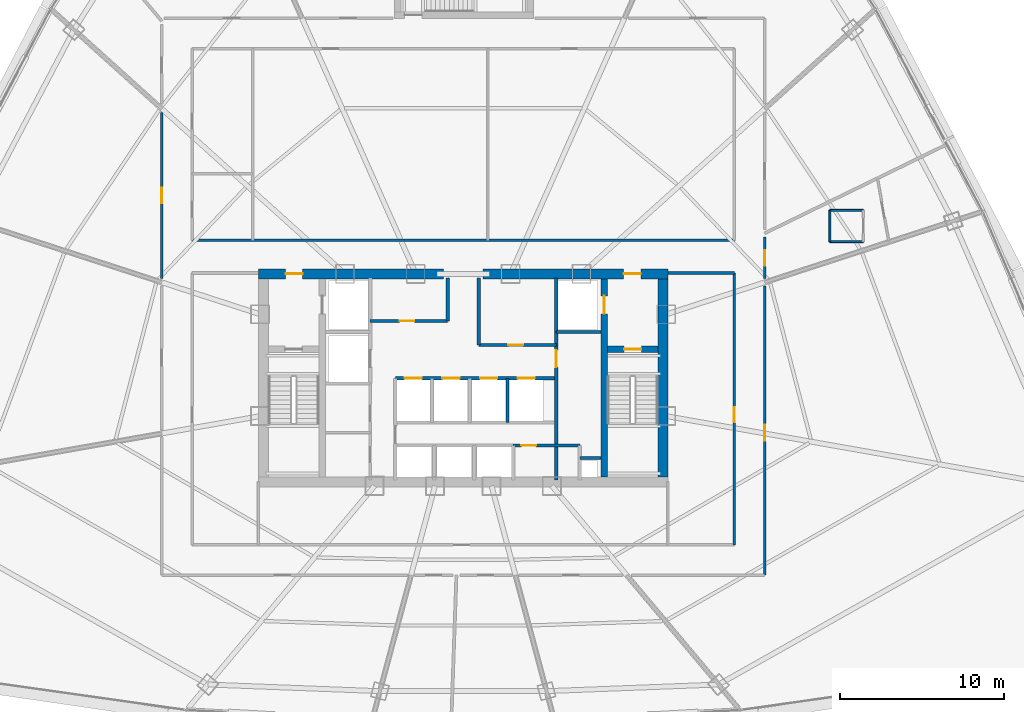
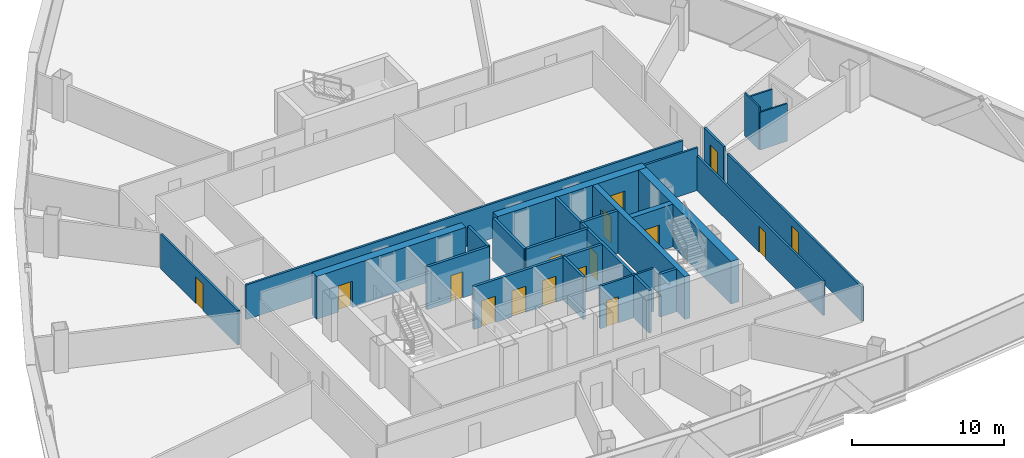
# One storey, part 36 of 42: 25 walls, 16 doors, 16 openings.
"""IFC4 building model written with IfcOpenShell, lengths in metres."""

from ifc_helpers import new_model, si_unit, direction, frame, frame_2d, origin, origin_with_axes, place, context, subcontext, project, spatial, rectangle, extrude, source, transform, mapped, material, layer, layer_set, type_object, element, fill, save


model = new_model("IFC4")

# Units and contexts
model_context = context("Model", 3, precision=1e-05, world=origin(), true_north=direction((0.0, 1.0)))
body_context = subcontext(model_context, "Body", "Model", "MODEL_VIEW")
ifc_project = project(units=[si_unit("LENGTHUNIT", "METRE"), si_unit("AREAUNIT", "SQUARE_METRE"), si_unit("VOLUMEUNIT", "CUBIC_METRE"), si_unit("PLANEANGLEUNIT", "RADIAN"), si_unit("MASSUNIT", "GRAM", prefix="KILO"), si_unit("THERMODYNAMICTEMPERATUREUNIT", "KELVIN"), si_unit("POWERUNIT", "WATT")], contexts=[model_context])

# Site, building, storey
site_placement = place(None, origin())
site = spatial("IfcSite", under=ifc_project, at=site_placement, CompositionType="ELEMENT")
building_placement = place(site_placement, origin())
building = spatial("IfcBuilding", under=site, at=building_placement, Name="Yunzhuo Pagoda Commons", CompositionType="ELEMENT")
storey_placement = place(building_placement, frame((0.0, 0.0, 133.510009765625)))
storey = spatial("IfcBuildingStorey", under=building, at=storey_placement, Name="L33", CompositionType="ELEMENT", Elevation=133.510009765625)

# Wall, opening, door
ifc_material_1 = material(Name="Concrete C60", Category="concrete")
ifc_layer_1 = layer(ifc_material_1, 0.60009765625)
ifc_layer_set_1 = layer_set([ifc_layer_1], Name="Concrete C60")
wall_type_1 = type_object("IfcWallType", Name="W-C02 Mid Core Shear Wall 600", PredefinedType="SHEAR", material=ifc_layer_set_1)
wall_1_placement = place(storey_placement, frame((35.5, 40.199951171875, 0.0), z_axis=(0.0, 0.0, 1.0), x_axis=(1.0, 0.0, 0.0)))
wall_1 = element("IfcWall", 1, at=wall_1_placement, inside=storey, type_object=wall_type_1, Name="L33 core shear wall NW", PredefinedType="SHEAR", context=body_context, shape_type="SweptSolid", body=[
    extrude(rectangle(XDim=11.300048828125, YDim=0.60009765625, at=frame_2d((5.64990234375, 0.0))), origin(), (0.0, 0.0, 1.0), 3.419921875),
])
opening_1_placement = place(wall_1_placement, frame((1.64990234375, 0.0, 0.0)))
opening_1 = element("IfcOpeningElement", 2, at=opening_1_placement, cuts=wall_1, Name="Opening D-02", PredefinedType="OPENING", context=body_context, shape_type="SweptSolid", body=[
    extrude(rectangle(XDim=1.050048828125, YDim=2.10009765625, at=frame_2d((0.52490234375, 1.050048828125))), frame((0.0, 0.31005859375, 0.0), z_axis=(0.0, -1.0, 0.0), x_axis=(1.0, 0.0, 0.0)), (0.0, 0.0, 1.0), 0.6201171875),
])
ifc_material_2 = material(Name="Galvanized fire-resisting metal leaf")
door_type_1 = type_object("IfcDoorType", Name="D-02 Firefighting Lobby & Refuge Fire Door 1050x2100", OperationType="NOTDEFINED", PredefinedType="DOOR", material=ifc_material_2)
shared_shape_1 = source(origin(), body_context, "Body", "SweptSolid", [
    extrude(rectangle(XDim=1.050048828125, YDim=2.10009765625, at=frame_2d((0.52490234375, 1.050048828125))), frame((0.0, 0.02490234375, 0.0), z_axis=(0.0, -1.0, 0.0), x_axis=(1.0, 0.0, 0.0)), (0.0, 0.0, 1.0), 0.050048828125),
])
door_1_placement = place(opening_1_placement, frame((1.050048828125, 0.0, 0.0), z_axis=(0.0, 0.0, 1.0), x_axis=(-1.0, 0.0, 0.0)))
door_1 = element("IfcDoor", 3, at=door_1_placement, inside=storey, type_object=door_type_1, Name="L33 Firefighting Lobby 1 fire door", OperationType="SINGLE_SWING_LEFT", OverallHeight=2.10009765625, OverallWidth=1.050048828125, PredefinedType="DOOR", context=body_context, shape_type="MappedRepresentation", body=[
    mapped(shared_shape_1, transform((0.0, 0.0, 0.0), scale=1.0)),
])
fill(opening_1, door_1)

wall_2_placement = place(storey_placement, frame((49.199951171875, 40.199951171875, 0.0), z_axis=(0.0, 0.0, 1.0), x_axis=(1.0, 0.0, 0.0)))
wall_2 = element("IfcWall", 4, at=wall_2_placement, inside=storey, type_object=wall_type_1, Name="L33 core shear wall NE", PredefinedType="SHEAR", context=body_context, shape_type="SweptSolid", body=[
    extrude(rectangle(XDim=11.300048828125, YDim=0.60009765625, at=frame_2d((5.64990234375, 0.0))), origin(), (0.0, 0.0, 1.0), 3.419921875),
])
opening_2_placement = place(wall_2_placement, frame((8.60009765625, 0.0, 0.0)))
opening_2 = element("IfcOpeningElement", 5, at=opening_2_placement, cuts=wall_2, Name="Opening D-02", PredefinedType="OPENING", context=body_context, shape_type="SweptSolid", body=[
    extrude(rectangle(XDim=1.050048828125, YDim=2.10009765625, at=frame_2d((0.52490234375, 1.050048828125))), frame((0.0, 0.31005859375, 0.0), z_axis=(0.0, -1.0, 0.0), x_axis=(1.0, 0.0, 0.0)), (0.0, 0.0, 1.0), 0.6201171875),
])
door_2_placement = place(opening_2_placement, frame((1.050048828125, 0.0, 0.0), z_axis=(0.0, 0.0, 1.0), x_axis=(-1.0, 0.0, 0.0)))
door_2 = element("IfcDoor", 6, at=door_2_placement, inside=storey, type_object=door_type_1, Name="L33 Firefighting Lobby 2 fire door", OperationType="SINGLE_SWING_RIGHT", OverallHeight=2.10009765625, OverallWidth=1.050048828125, PredefinedType="DOOR", context=body_context, shape_type="MappedRepresentation", body=[
    mapped(shared_shape_1, transform((0.0, 0.0, 0.0), scale=1.0)),
])
fill(opening_2, door_2)

# Wall
wall_3_placement = place(storey_placement, frame((60.199951171875, 27.800048828125, 0.0), z_axis=(0.0, 0.0, 1.0), x_axis=(0.0, 1.0, 0.0)))
element("IfcWall", 7, at=wall_3_placement, inside=storey, type_object=wall_type_1, Name="L33 core shear wall E", PredefinedType="SHEAR", context=body_context, shape_type="SweptSolid", body=[
    extrude(rectangle(XDim=12.099853515625, YDim=0.60009765625, at=frame_2d((6.0498046875, 0.0))), origin(), (0.0, 0.0, 1.0), 3.419921875),
])

# Wall, opening, door
ifc_material_3 = material(Name="Gypsum plasterboard on acoustic stud")
ifc_layer_2 = layer(ifc_material_3, 0.155029296875)
ifc_layer_set_2 = layer_set([ifc_layer_2], Name="Gypsum plasterboard on acoustic stud")
wall_type_2 = type_object("IfcWallType", Name="W-COR2 Mid-Zone Rated Corridor Wall 155", PredefinedType="PARTITIONING", material=ifc_layer_set_2)
wall_4_placement = place(storey_placement, frame((51.050048828125, 29.719970703125, 0.0), z_axis=(0.0, 0.0, 1.0), x_axis=(1.0, 0.0, 0.0)))
wall_4 = element("IfcWall", 8, at=wall_4_placement, inside=storey, type_object=wall_type_2, Name="L33 interior wall IW-L33-CSES", PredefinedType="PARTITIONING", context=body_context, shape_type="SweptSolid", body=[
    extrude(rectangle(XDim=4.070068359375, YDim=0.155029296875, at=frame_2d((2.03515625, 0.0))), origin(), (0.0, 0.0, 1.0), 3.419921875),
])
opening_3_placement = place(wall_4_placement, frame((0.5, 0.0, 0.0)))
opening_3 = element("IfcOpeningElement", 9, at=opening_3_placement, cuts=wall_4, Name="Opening D-03", PredefinedType="OPENING", context=body_context, shape_type="SweptSolid", body=[
    extrude(rectangle(XDim=0.89990234375, YDim=2.10009765625, at=frame_2d((0.449951171875, 1.050048828125))), frame((0.0, 0.08740234375, 0.0), z_axis=(0.0, -1.0, 0.0), x_axis=(1.0, 0.0, 0.0)), (0.0, 0.0, 1.0), 0.175048828125),
])
door_type_2 = type_object("IfcDoorType", Name="D-03 Core Service Fire Door 900x2100", OperationType="NOTDEFINED", PredefinedType="DOOR", material=ifc_material_2)
shared_shape_2 = source(origin(), body_context, "Body", "SweptSolid", [
    extrude(rectangle(XDim=0.89990234375, YDim=2.10009765625, at=frame_2d((0.449951171875, 1.050048828125))), frame((0.0, 0.02490234375, 0.0), z_axis=(0.0, -1.0, 0.0), x_axis=(1.0, 0.0, 0.0)), (0.0, 0.0, 1.0), 0.050048828125),
])
door_3_placement = place(opening_3_placement, origin_with_axes())
door_3 = element("IfcDoor", 10, at=door_3_placement, inside=storey, type_object=door_type_2, Name="L33 IT closet door", OperationType="SINGLE_SWING_LEFT", OverallHeight=2.10009765625, OverallWidth=0.89990234375, PredefinedType="DOOR", context=body_context, shape_type="MappedRepresentation", body=[
    mapped(shared_shape_2, transform((0.0, 0.0, 0.0), scale=1.0)),
])
fill(opening_3, door_3)

# Wall
wall_5_placement = place(storey_placement, frame((31.449951171875, 42.25, 0.0), z_axis=(0.0, 0.0, 1.0), x_axis=(1.0, 0.0, 0.0)))
element("IfcWall", 11, at=wall_5_placement, inside=storey, type_object=wall_type_2, Name="L33 interior wall IW-L33-MCNS", PredefinedType="PARTITIONING", context=body_context, shape_type="SweptSolid", body=[
    extrude(rectangle(XDim=33.10009765625, YDim=0.155029296875, at=frame_2d((16.550048828125, 0.0))), origin(), (0.0, 0.0, 1.0), 2.77001953125),
])

# Wall, opening, door
wall_6_placement = place(storey_placement, frame((64.550048828125, 23.64990234375, 0.0), z_axis=(0.0, 0.0, 1.0), x_axis=(0.0, 1.0, 0.0)))
wall_6 = element("IfcWall", 12, at=wall_6_placement, inside=storey, type_object=wall_type_2, Name="L33 interior wall IW-L33-SFLE", PredefinedType="PARTITIONING", context=body_context, shape_type="SweptSolid", body=[
    extrude(rectangle(XDim=16.60009765625, YDim=0.155029296875, at=frame_2d((8.300048828125, 0.0))), origin(), (0.0, 0.0, 1.0), 2.77001953125),
])
opening_4_placement = place(wall_6_placement, frame((7.5, 0.0, 0.0)))
opening_4 = element("IfcOpeningElement", 13, at=opening_4_placement, cuts=wall_6, Name="Opening D-12", PredefinedType="OPENING", context=body_context, shape_type="SweptSolid", body=[
    extrude(rectangle(XDim=0.89990234375, YDim=2.080078125, at=frame_2d((0.449951171875, 1.0400390625))), frame((0.0, 0.08740234375, 0.0), z_axis=(0.0, -1.0, 0.0), x_axis=(1.0, 0.0, 0.0)), (0.0, 0.0, 1.0), 0.175048828125),
])
ifc_material_4 = material(Name="Powder-coated aluminium and timber acoustic leaf", Category="wood")
door_type_3 = type_object("IfcDoorType", Name="D-12 Quiet Study Interior Door 900x2080", OperationType="NOTDEFINED", PredefinedType="DOOR", material=ifc_material_4)
shared_shape_3 = source(origin(), body_context, "Body", "SweptSolid", [
    extrude(rectangle(XDim=0.89990234375, YDim=2.080078125, at=frame_2d((0.449951171875, 1.0400390625))), frame((0.0, 0.02490234375, 0.0), z_axis=(0.0, -1.0, 0.0), x_axis=(1.0, 0.0, 0.0)), (0.0, 0.0, 1.0), 0.050048828125),
])
door_4_placement = place(opening_4_placement, frame((0.89990234375, 0.0, 0.0), z_axis=(0.0, 0.0, 1.0), x_axis=(-1.0, 0.0, 0.0)))
door_4 = element("IfcDoor", 14, at=door_4_placement, inside=storey, type_object=door_type_3, Name="L33 east study workroom door", OperationType="SINGLE_SWING_RIGHT", OverallHeight=2.080078125, OverallWidth=0.89990234375, PredefinedType="DOOR", context=body_context, shape_type="MappedRepresentation", body=[
    mapped(shared_shape_3, transform((0.0, 0.0, 0.0), scale=1.0)),
])
fill(opening_4, door_4)

# Wall
wall_7_placement = place(storey_placement, frame((60.5, 40.25, 0.0), z_axis=(0.0, 0.0, 1.0), x_axis=(1.0, 0.0, 0.0)))
element("IfcWall", 15, at=wall_7_placement, inside=storey, type_object=wall_type_2, Name="L33 interior wall IW-L33-SFLNE", PredefinedType="PARTITIONING", context=body_context, shape_type="SweptSolid", body=[
    extrude(rectangle(XDim=4.050048828125, YDim=0.155029296875, at=frame_2d((2.02490234375, 0.0))), origin(), (0.0, 0.0, 1.0), 3.419921875),
])

# Wall, opening, door
wall_8_placement = place(storey_placement, frame((29.60009765625, 39.909912109375, 0.0), z_axis=(0.0, 0.0, 1.0), x_axis=(0.0, 1.0, 0.0)))
wall_8 = element("IfcWall", 16, at=wall_8_placement, inside=storey, type_object=wall_type_2, Name="L33 interior wall IW-L33-CWL03", PredefinedType="PARTITIONING", context=body_context, shape_type="SweptSolid", body=[
    extrude(rectangle(XDim=10.1376953125, YDim=0.155029296875, at=frame_2d((5.06884765625, 0.0))), origin(), (0.0, 0.0, 1.0), 2.77001953125),
])
opening_5_placement = place(wall_8_placement, frame((4.588134765625, 0.0, 0.0)))
opening_5 = element("IfcOpeningElement", 17, at=opening_5_placement, cuts=wall_8, Name="Opening D-07", PredefinedType="OPENING", context=body_context, shape_type="SweptSolid", body=[
    extrude(rectangle(XDim=0.9599609375, YDim=2.1201171875, at=frame_2d((0.47998046875, 1.06005859375))), frame((0.0, 0.08740234375, 0.0), z_axis=(0.0, -1.0, 0.0), x_axis=(1.0, 0.0, 0.0)), (0.0, 0.0, 1.0), 0.175048828125),
])
door_type_4 = type_object("IfcDoorType", Name="D-07 Mid-Zone Suite Entrance Fire Door 960x2120", OperationType="NOTDEFINED", PredefinedType="DOOR", material=ifc_material_2)
shared_shape_4 = source(origin(), body_context, "Body", "SweptSolid", [
    extrude(rectangle(XDim=0.9599609375, YDim=2.1201171875, at=frame_2d((0.47998046875, 1.06005859375))), frame((0.0, 0.02490234375, 0.0), z_axis=(0.0, -1.0, 0.0), x_axis=(1.0, 0.0, 0.0)), (0.0, 0.0, 1.0), 0.050048828125),
])
door_5_placement = place(opening_5_placement, origin_with_axes())
door_5 = element("IfcDoor", 18, at=door_5_placement, inside=storey, type_object=door_type_4, Name="L33 unit 07 entrance door", OperationType="SINGLE_SWING_LEFT", OverallHeight=2.1201171875, OverallWidth=0.9599609375, PredefinedType="DOOR", context=body_context, shape_type="MappedRepresentation", body=[
    mapped(shared_shape_4, transform((0.0, 0.0, 0.0), scale=1.0)),
])
fill(opening_5, door_5)

wall_9_placement = place(storey_placement, frame((66.39990234375, 42.45458984375, 0.0), z_axis=(0.0, 0.0, 1.0), x_axis=(0.0, -1.0, 0.0)))
wall_9 = element("IfcWall", 19, at=wall_9_placement, inside=storey, type_object=wall_type_2, Name="L33 interior wall IW-L33-CWL11", PredefinedType="PARTITIONING", context=body_context, shape_type="SweptSolid", body=[
    extrude(rectangle(XDim=2.544677734375, YDim=0.155029296875, at=frame_2d((1.2724609375, 0.0))), origin(), (0.0, 0.0, 1.0), 3.02001953125),
])
opening_6_placement = place(wall_9_placement, frame((0.802978515625, 0.0, 0.0)))
opening_6 = element("IfcOpeningElement", 20, at=opening_6_placement, cuts=wall_9, Name="Opening D-07", PredefinedType="OPENING", context=body_context, shape_type="SweptSolid", body=[
    extrude(rectangle(XDim=0.9599609375, YDim=2.1201171875, at=frame_2d((0.47998046875, 1.06005859375))), frame((0.0, 0.08740234375, 0.0), z_axis=(0.0, -1.0, 0.0), x_axis=(1.0, 0.0, 0.0)), (0.0, 0.0, 1.0), 0.175048828125),
])
door_6_placement = place(opening_6_placement, origin_with_axes())
door_6 = element("IfcDoor", 21, at=door_6_placement, inside=storey, type_object=door_type_4, Name="L33 unit 01 entrance door", OperationType="SINGLE_SWING_LEFT", OverallHeight=2.1201171875, OverallWidth=0.9599609375, PredefinedType="DOOR", context=body_context, shape_type="MappedRepresentation", body=[
    mapped(shared_shape_4, transform((0.0, 0.0, 0.0), scale=1.0)),
])
fill(opening_6, door_6)

wall_10_placement = place(storey_placement, frame((66.39990234375, 39.458740234375, 0.0), z_axis=(0.0, 0.0, 1.0), x_axis=(0.0, -1.0, 0.0)))
wall_10 = element("IfcWall", 22, at=wall_10_placement, inside=storey, type_object=wall_type_2, Name="L33 interior wall IW-L33-CWL12", PredefinedType="PARTITIONING", context=body_context, shape_type="SweptSolid", body=[
    extrude(rectangle(XDim=17.65869140625, YDim=0.155029296875, at=frame_2d((8.829345703125, 0.0))), origin(), (0.0, 0.0, 1.0), 2.77001953125),
])
opening_7_placement = place(wall_10_placement, frame((8.474365234375, 0.0, 0.0)))
opening_7 = element("IfcOpeningElement", 23, at=opening_7_placement, cuts=wall_10, Name="Opening D-07", PredefinedType="OPENING", context=body_context, shape_type="SweptSolid", body=[
    extrude(rectangle(XDim=0.9599609375, YDim=2.1201171875, at=frame_2d((0.47998046875, 1.06005859375))), frame((0.0, 0.08740234375, 0.0), z_axis=(0.0, -1.0, 0.0), x_axis=(1.0, 0.0, 0.0)), (0.0, 0.0, 1.0), 0.175048828125),
])
door_7_placement = place(opening_7_placement, origin_with_axes())
door_7 = element("IfcDoor", 24, at=door_7_placement, inside=storey, type_object=door_type_4, Name="L33 Resident Co-Living Commons Hall door", OperationType="SINGLE_SWING_LEFT", OverallHeight=2.1201171875, OverallWidth=0.9599609375, PredefinedType="DOOR", context=body_context, shape_type="MappedRepresentation", body=[
    mapped(shared_shape_4, transform((0.0, 0.0, 0.0), scale=1.0)),
])
fill(opening_7, door_7)

# Walls
ifc_layer_3 = layer(ifc_material_3, 0.1201171875)
ifc_layer_set_3 = layer_set([ifc_layer_3], Name="Gypsum plasterboard on acoustic stud")
wall_type_3 = type_object("IfcWallType", Name="W-PRT1 Suite & Bathroom Partition 120", PredefinedType="PARTITIONING", material=ifc_layer_set_3)
for number, where, z_axis, x_axis, name in (
    (25, (70.383056640625, 42.1708984375, 0.0), (0.0, 0.0, 1.0), (1.0, 0.0, 0.0), "L33 interior wall IW-L33-B01S"),
    (26, (72.43310546875, 44.071044921875, 0.0), (0.0, 0.0, 1.0), (-1.0, 0.0, 0.0), "L33 interior wall IW-L33-B01N"),
):
    element("IfcWall", number, at=place(storey_placement, frame(where, z_axis=z_axis, x_axis=x_axis)), inside=storey, type_object=wall_type_3, Name=name, PredefinedType="PARTITIONING", context=body_context, shape_type="SweptSolid", body=[
        extrude(rectangle(XDim=2.050048828125, YDim=0.1201171875, at=frame_2d((1.02490234375, 0.0))), origin(), (0.0, 0.0, 1.0), 3.02001953125),
    ])
wall_11_placement = place(storey_placement, frame((70.383056640625, 44.071044921875, 0.0), z_axis=(0.0, 0.0, 1.0), x_axis=(0.0, -1.0, 0.0)))
element("IfcWall", 27, at=wall_11_placement, inside=storey, type_object=wall_type_3, Name="L33 interior wall IW-L33-B01W", PredefinedType="PARTITIONING", context=body_context, shape_type="SweptSolid", body=[
    extrude(rectangle(XDim=1.900146484375, YDim=0.1201171875, at=frame_2d((0.9501953125, 0.0))), origin(), (0.0, 0.0, 1.0), 3.419921875),
])

# Wall, opening, door
ifc_layer_4 = layer(ifc_material_1, 0.39990234375)
ifc_layer_set_4 = layer_set([ifc_layer_4], Name="Concrete C60")
wall_type_4 = type_object("IfcWallType", Name="W-S01 Internal Core Shear Web 400", PredefinedType="SHEAR", material=ifc_layer_set_4)
wall_12_placement = place(storey_placement, frame((56.60009765625, 27.800048828125, 0.0), z_axis=(0.0, 0.0, 1.0), x_axis=(0.0, 1.0, 0.0)))
wall_12 = element("IfcWall", 28, at=wall_12_placement, inside=storey, type_object=wall_type_4, Name="L33 core shear wall WEBE", PredefinedType="SHEAR", context=body_context, shape_type="SweptSolid", body=[
    extrude(rectangle(XDim=12.099853515625, YDim=0.39990234375, at=frame_2d((6.0498046875, 0.0))), origin(), (0.0, 0.0, 1.0), 3.419921875),
])
opening_8_placement = place(wall_12_placement, frame((9.949951171875, 0.0, 0.0)))
opening_8 = element("IfcOpeningElement", 29, at=opening_8_placement, cuts=wall_12, Name="Opening LD-01", PredefinedType="OPENING", context=body_context, shape_type="SweptSolid", body=[
    extrude(rectangle(XDim=1.10009765625, YDim=2.10009765625, at=frame_2d((0.550048828125, 1.050048828125))), frame((0.0, 0.2099609375, 0.0), z_axis=(0.0, -1.0, 0.0), x_axis=(1.0, 0.0, 0.0)), (0.0, 0.0, 1.0), 0.419921875),
])
door_type_5 = type_object("IfcDoorType", Name="LD-01 Firefighting Lift Landing Door 1100x2100", OperationType="DOUBLE_DOOR_SLIDING", PredefinedType="DOOR", material=ifc_material_2)
shared_shape_5 = source(origin(), body_context, "Body", "SweptSolid", [
    extrude(rectangle(XDim=1.10009765625, YDim=2.10009765625, at=frame_2d((0.550048828125, 1.050048828125))), frame((0.0, 0.02490234375, 0.0), z_axis=(0.0, -1.0, 0.0), x_axis=(1.0, 0.0, 0.0)), (0.0, 0.0, 1.0), 0.050048828125),
])
door_8_placement = place(opening_8_placement, origin_with_axes())
door_8 = element("IfcDoor", 30, at=door_8_placement, inside=storey, type_object=door_type_5, Name="L33 Firefighting lift FL-2 landing door", OperationType="DOUBLE_DOOR_SLIDING", OverallHeight=2.10009765625, OverallWidth=1.10009765625, PredefinedType="DOOR", context=body_context, shape_type="MappedRepresentation", body=[
    mapped(shared_shape_5, transform((0.0, 0.0, 0.0), scale=1.0)),
])
fill(opening_8, door_8)

wall_13_placement = place(storey_placement, frame((56.800048828125, 35.60009765625, 0.0), z_axis=(0.0, 0.0, 1.0), x_axis=(1.0, 0.0, 0.0)))
wall_13 = element("IfcWall", 31, at=wall_13_placement, inside=storey, type_object=wall_type_4, Name="L33 core shear wall STE", PredefinedType="SHEAR", context=body_context, shape_type="SweptSolid", body=[
    extrude(rectangle(XDim=3.099853515625, YDim=0.39990234375, at=frame_2d((1.5498046875, 0.0))), origin(), (0.0, 0.0, 1.0), 3.419921875),
])
opening_9_placement = place(wall_13_placement, frame((1.02001953125, 0.0, 0.0)))
opening_9 = element("IfcOpeningElement", 32, at=opening_9_placement, cuts=wall_13, Name="Opening D-01", PredefinedType="OPENING", context=body_context, shape_type="SweptSolid", body=[
    extrude(rectangle(XDim=1.050048828125, YDim=2.10009765625, at=frame_2d((0.52490234375, 1.050048828125))), frame((0.0, 0.2099609375, 0.0), z_axis=(0.0, -1.0, 0.0), x_axis=(1.0, 0.0, 0.0)), (0.0, 0.0, 1.0), 0.419921875),
])
door_type_6 = type_object("IfcDoorType", Name="D-01 Smokeproof Stair Fire Door 1050x2100", OperationType="NOTDEFINED", PredefinedType="DOOR", material=ifc_material_2)
door_9_placement = place(opening_9_placement, frame((1.050048828125, 0.0, 0.0), z_axis=(0.0, 0.0, 1.0), x_axis=(-1.0, 0.0, 0.0)))
door_9 = element("IfcDoor", 33, at=door_9_placement, inside=storey, type_object=door_type_6, Name="L33 Stair ST2 fire door", OperationType="SINGLE_SWING_RIGHT", OverallHeight=2.10009765625, OverallWidth=1.050048828125, PredefinedType="DOOR", context=body_context, shape_type="MappedRepresentation", body=[
    mapped(shared_shape_1, transform((0.0, 0.0, 0.0), scale=1.0)),
])
fill(opening_9, door_9)

# Walls
ifc_material_5 = material(Name="Concrete C40", Category="concrete")
ifc_layer_5 = layer(ifc_material_5, 0.199951171875)
ifc_layer_set_5 = layer_set([ifc_layer_5], Name="Concrete C40")
wall_type_5 = type_object("IfcWallType", Name="W-SHF Shaft & Stair Enclosure Wall 200", PredefinedType="SOLIDWALL", material=ifc_layer_set_5)
wall_14_placement = place(storey_placement, frame((53.679931640625, 36.64990234375, 0.0), z_axis=(0.0, 0.0, 1.0), x_axis=(0.0, 1.0, 0.0)))
element("IfcWall", 34, at=wall_14_placement, inside=storey, type_object=wall_type_5, Name="L33 interior wall IW-L33-FL2W", PredefinedType="SOLIDWALL", context=body_context, shape_type="SweptSolid", body=[
    extrude(rectangle(XDim=3.300048828125, YDim=0.199951171875, at=frame_2d((1.64990234375, 0.0))), origin(), (0.0, 0.0, 1.0), 3.419921875),
])
wall_15_placement = place(storey_placement, frame((53.679931640625, 36.64990234375, 0.0), z_axis=(0.0, 0.0, 1.0), x_axis=(1.0, 0.0, 0.0)))
element("IfcWall", 35, at=wall_15_placement, inside=storey, type_object=wall_type_5, Name="L33 interior wall IW-L33-FL2S", PredefinedType="SOLIDWALL", context=body_context, shape_type="SweptSolid", body=[
    extrude(rectangle(XDim=2.719970703125, YDim=0.199951171875, at=frame_2d((1.35986328125, 0.0))), origin(), (0.0, 0.0, 1.0), 3.419921875),
])

# Wall, opening, door
wall_16_placement = place(storey_placement, frame((42.320068359375, 37.320068359375, 0.0), z_axis=(0.0, 0.0, 1.0), x_axis=(1.0, 0.0, 0.0)))
wall_16 = element("IfcWall", 36, at=wall_16_placement, inside=storey, type_object=wall_type_5, Name="L33 interior wall IW-L33-LBNW", PredefinedType="SOLIDWALL", context=body_context, shape_type="SweptSolid", body=[
    extrude(rectangle(XDim=4.72998046875, YDim=0.199951171875, at=frame_2d((2.364990234375, 0.0))), origin(), (0.0, 0.0, 1.0), 3.419921875),
])
opening_10_placement = place(wall_16_placement, frame((1.800048828125, 0.0, 0.0)))
opening_10 = element("IfcOpeningElement", 37, at=opening_10_placement, cuts=wall_16, Name="Opening D-03", PredefinedType="OPENING", context=body_context, shape_type="SweptSolid", body=[
    extrude(rectangle(XDim=0.89990234375, YDim=2.10009765625, at=frame_2d((0.449951171875, 1.050048828125))), frame((0.0, 0.10986328125, 0.0), z_axis=(0.0, -1.0, 0.0), x_axis=(1.0, 0.0, 0.0)), (0.0, 0.0, 1.0), 0.219970703125),
])
door_10_placement = place(opening_10_placement, frame((0.89990234375, 0.0, 0.0), z_axis=(0.0, 0.0, 1.0), x_axis=(-1.0, 0.0, 0.0)))
door_10 = element("IfcDoor", 38, at=door_10_placement, inside=storey, type_object=door_type_2, Name="L33 core west store door", OperationType="SINGLE_SWING_LEFT", OverallHeight=2.10009765625, OverallWidth=0.89990234375, PredefinedType="DOOR", context=body_context, shape_type="MappedRepresentation", body=[
    mapped(shared_shape_2, transform((0.0, 0.0, 0.0), scale=1.0)),
])
fill(opening_10, door_10)

wall_17_placement = place(storey_placement, frame((48.949951171875, 35.85009765625, 0.0), z_axis=(0.0, 0.0, 1.0), x_axis=(1.0, 0.0, 0.0)))
wall_17 = element("IfcWall", 39, at=wall_17_placement, inside=storey, type_object=wall_type_5, Name="L33 interior wall IW-L33-LBNE", PredefinedType="SOLIDWALL", context=body_context, shape_type="SweptSolid", body=[
    extrude(rectangle(XDim=4.72998046875, YDim=0.199951171875, at=frame_2d((2.364990234375, 0.0))), origin(), (0.0, 0.0, 1.0), 3.419921875),
])
opening_11_placement = place(wall_17_placement, frame((1.800048828125, 0.0, 0.0)))
opening_11 = element("IfcOpeningElement", 40, at=opening_11_placement, cuts=wall_17, Name="Opening D-03", PredefinedType="OPENING", context=body_context, shape_type="SweptSolid", body=[
    extrude(rectangle(XDim=0.89990234375, YDim=2.10009765625, at=frame_2d((0.449951171875, 1.050048828125))), frame((0.0, 0.10986328125, 0.0), z_axis=(0.0, -1.0, 0.0), x_axis=(1.0, 0.0, 0.0)), (0.0, 0.0, 1.0), 0.219970703125),
])
door_11_placement = place(opening_11_placement, frame((0.89990234375, 0.0, 0.0), z_axis=(0.0, 0.0, 1.0), x_axis=(-1.0, 0.0, 0.0)))
door_11 = element("IfcDoor", 41, at=door_11_placement, inside=storey, type_object=door_type_2, Name="L33 core east store door", OperationType="SINGLE_SWING_RIGHT", OverallHeight=2.10009765625, OverallWidth=0.89990234375, PredefinedType="DOOR", context=body_context, shape_type="MappedRepresentation", body=[
    mapped(shared_shape_2, transform((0.0, 0.0, 0.0), scale=1.0)),
])
fill(opening_11, door_11)

# Walls
wall_18_placement = place(storey_placement, frame((47.050048828125, 37.320068359375, 0.0), z_axis=(0.0, 0.0, 1.0), x_axis=(0.0, 1.0, 0.0)))
element("IfcWall", 42, at=wall_18_placement, inside=storey, type_object=wall_type_5, Name="L33 interior wall IW-L33-THRW", PredefinedType="SOLIDWALL", context=body_context, shape_type="SweptSolid", body=[
    extrude(rectangle(XDim=2.6298828125, YDim=0.199951171875, at=frame_2d((1.31494140625, 0.0))), origin(), (0.0, 0.0, 1.0), 3.419921875),
])
wall_19_placement = place(storey_placement, frame((48.949951171875, 35.85009765625, 0.0), z_axis=(0.0, 0.0, 1.0), x_axis=(0.0, 1.0, 0.0)))
element("IfcWall", 43, at=wall_19_placement, inside=storey, type_object=wall_type_5, Name="L33 interior wall IW-L33-THRE", PredefinedType="SOLIDWALL", context=body_context, shape_type="SweptSolid", body=[
    extrude(rectangle(XDim=4.099853515625, YDim=0.199951171875, at=frame_2d((2.0498046875, 0.0))), origin(), (0.0, 0.0, 1.0), 3.419921875),
])

# Wall, openings, doors
wall_20_placement = place(storey_placement, frame((43.85009765625, 33.820068359375, 0.0), z_axis=(0.0, 0.0, 1.0), x_axis=(1.0, 0.0, 0.0)))
wall_20 = element("IfcWall", 44, at=wall_20_placement, inside=storey, type_object=wall_type_5, Name="L33 interior wall IW-L33-MLBS", PredefinedType="SOLIDWALL", context=body_context, shape_type="SweptSolid", body=[
    extrude(rectangle(XDim=9.829833984375, YDim=0.199951171875, at=frame_2d((4.9150390625, 0.0))), origin(), (0.0, 0.0, 1.0), 3.419921875),
])
opening_12_placement = place(wall_20_placement, frame((0.574951171875, 0.0, 0.0)))
opening_12 = element("IfcOpeningElement", 45, at=opening_12_placement, cuts=wall_20, Name="Opening LD-02", PredefinedType="OPENING", context=body_context, shape_type="SweptSolid", body=[
    extrude(rectangle(XDim=1.050048828125, YDim=2.10009765625, at=frame_2d((0.52490234375, 1.050048828125))), frame((0.0, 0.10986328125, 0.0), z_axis=(0.0, -1.0, 0.0), x_axis=(1.0, 0.0, 0.0)), (0.0, 0.0, 1.0), 0.219970703125),
])
opening_13_placement = place(wall_20_placement, frame((2.875, 0.0, 0.0)))
opening_13 = element("IfcOpeningElement", 46, at=opening_13_placement, cuts=wall_20, Name="Opening LD-02", PredefinedType="OPENING", context=body_context, shape_type="SweptSolid", body=[
    extrude(rectangle(XDim=1.050048828125, YDim=2.10009765625, at=frame_2d((0.52490234375, 1.050048828125))), frame((0.0, 0.10986328125, 0.0), z_axis=(0.0, -1.0, 0.0), x_axis=(1.0, 0.0, 0.0)), (0.0, 0.0, 1.0), 0.219970703125),
])
opening_14_placement = place(wall_20_placement, frame((5.175048828125, 0.0, 0.0)))
opening_14 = element("IfcOpeningElement", 47, at=opening_14_placement, cuts=wall_20, Name="Opening LD-02", PredefinedType="OPENING", context=body_context, shape_type="SweptSolid", body=[
    extrude(rectangle(XDim=1.050048828125, YDim=2.10009765625, at=frame_2d((0.52490234375, 1.050048828125))), frame((0.0, 0.10986328125, 0.0), z_axis=(0.0, -1.0, 0.0), x_axis=(1.0, 0.0, 0.0)), (0.0, 0.0, 1.0), 0.219970703125),
])
opening_15_placement = place(wall_20_placement, frame((7.47509765625, 0.0, 0.0)))
opening_15 = element("IfcOpeningElement", 48, at=opening_15_placement, cuts=wall_20, Name="Opening LD-02", PredefinedType="OPENING", context=body_context, shape_type="SweptSolid", body=[
    extrude(rectangle(XDim=1.050048828125, YDim=2.10009765625, at=frame_2d((0.52490234375, 1.050048828125))), frame((0.0, 0.10986328125, 0.0), z_axis=(0.0, -1.0, 0.0), x_axis=(1.0, 0.0, 0.0)), (0.0, 0.0, 1.0), 0.219970703125),
])
door_type_7 = type_object("IfcDoorType", Name="LD-02 Passenger Lift Landing Door 1050x2100", OperationType="DOUBLE_DOOR_SLIDING", PredefinedType="DOOR", material=ifc_material_2)
door_12_placement = place(opening_12_placement, origin_with_axes())
door_12 = element("IfcDoor", 49, at=door_12_placement, inside=storey, type_object=door_type_7, Name="L33 Passenger lift PL-M1 landing door", OperationType="DOUBLE_DOOR_SLIDING", OverallHeight=2.10009765625, OverallWidth=1.050048828125, PredefinedType="DOOR", context=body_context, shape_type="MappedRepresentation", body=[
    mapped(shared_shape_1, transform((0.0, 0.0, 0.0), scale=1.0)),
])
fill(opening_12, door_12)
door_13_placement = place(opening_13_placement, origin_with_axes())
door_13 = element("IfcDoor", 50, at=door_13_placement, inside=storey, type_object=door_type_7, Name="L33 Passenger lift PL-M2 landing door", OperationType="DOUBLE_DOOR_SLIDING", OverallHeight=2.10009765625, OverallWidth=1.050048828125, PredefinedType="DOOR", context=body_context, shape_type="MappedRepresentation", body=[
    mapped(shared_shape_1, transform((0.0, 0.0, 0.0), scale=1.0)),
])
fill(opening_13, door_13)
door_14_placement = place(opening_14_placement, origin_with_axes())
door_14 = element("IfcDoor", 51, at=door_14_placement, inside=storey, type_object=door_type_7, Name="L33 Passenger lift PL-M3 landing door", OperationType="DOUBLE_DOOR_SLIDING", OverallHeight=2.10009765625, OverallWidth=1.050048828125, PredefinedType="DOOR", context=body_context, shape_type="MappedRepresentation", body=[
    mapped(shared_shape_1, transform((0.0, 0.0, 0.0), scale=1.0)),
])
fill(opening_14, door_14)
door_15_placement = place(opening_15_placement, origin_with_axes())
door_15 = element("IfcDoor", 52, at=door_15_placement, inside=storey, type_object=door_type_7, Name="L33 Passenger lift PL-M4 landing door", OperationType="DOUBLE_DOOR_SLIDING", OverallHeight=2.10009765625, OverallWidth=1.050048828125, PredefinedType="DOOR", context=body_context, shape_type="MappedRepresentation", body=[
    mapped(shared_shape_1, transform((0.0, 0.0, 0.0), scale=1.0)),
])
fill(opening_15, door_15)

# Wall, opening, door
wall_21_placement = place(storey_placement, frame((53.679931640625, 27.60009765625, 0.0), z_axis=(0.0, 0.0, 1.0), x_axis=(0.0, 1.0, 0.0)))
wall_21 = element("IfcWall", 53, at=wall_21_placement, inside=storey, type_object=wall_type_5, Name="L33 interior wall IW-L33-PLME", PredefinedType="SOLIDWALL", context=body_context, shape_type="SweptSolid", body=[
    extrude(rectangle(XDim=9.0498046875, YDim=0.199951171875, at=frame_2d((4.52490234375, 0.0))), origin(), (0.0, 0.0, 1.0), 3.419921875),
])
opening_16_placement = place(wall_21_placement, frame((6.89990234375, 0.0, 0.0)))
opening_16 = element("IfcOpeningElement", 54, at=opening_16_placement, cuts=wall_21, Name="Opening D-02", PredefinedType="OPENING", context=body_context, shape_type="SweptSolid", body=[
    extrude(rectangle(XDim=1.050048828125, YDim=2.10009765625, at=frame_2d((0.52490234375, 1.050048828125))), frame((0.0, 0.10986328125, 0.0), z_axis=(0.0, -1.0, 0.0), x_axis=(1.0, 0.0, 0.0)), (0.0, 0.0, 1.0), 0.219970703125),
])
door_16_placement = place(opening_16_placement, origin_with_axes())
door_16 = element("IfcDoor", 55, at=door_16_placement, inside=storey, type_object=door_type_1, Name="L33 High-bank lift hall door", OperationType="SINGLE_SWING_RIGHT", OverallHeight=2.10009765625, OverallWidth=1.050048828125, PredefinedType="DOOR", context=body_context, shape_type="MappedRepresentation", body=[
    mapped(shared_shape_1, transform((0.0, 0.0, 0.0), scale=1.0)),
])
fill(opening_16, door_16)

# Walls
wall_22_placement = place(storey_placement, frame((50.699951171875, 31.1201171875, 0.0), z_axis=(0.0, 0.0, 1.0), x_axis=(0.0, 1.0, 0.0)))
element("IfcWall", 56, at=wall_22_placement, inside=storey, type_object=wall_type_5, Name="L33 interior wall IW-L33-PLMD3", PredefinedType="SOLIDWALL", context=body_context, shape_type="SweptSolid", body=[
    extrude(rectangle(XDim=2.699951171875, YDim=0.199951171875, at=frame_2d((1.35009765625, 0.0))), origin(), (0.0, 0.0, 1.0), 3.419921875),
])
wall_23_placement = place(storey_placement, frame((55.1201171875, 28.949951171875, 0.0), z_axis=(0.0, 0.0, 1.0), x_axis=(1.0, 0.0, 0.0)))
element("IfcWall", 57, at=wall_23_placement, inside=storey, type_object=wall_type_5, Name="L33 interior wall IW-L33-RSHFN", PredefinedType="SOLIDWALL", context=body_context, shape_type="SweptSolid", body=[
    extrude(rectangle(XDim=1.27978515625, YDim=0.199951171875, at=frame_2d((0.639892578125, 0.0))), origin(), (0.0, 0.0, 1.0), 3.419921875),
])

save(model, "model.ifc")
